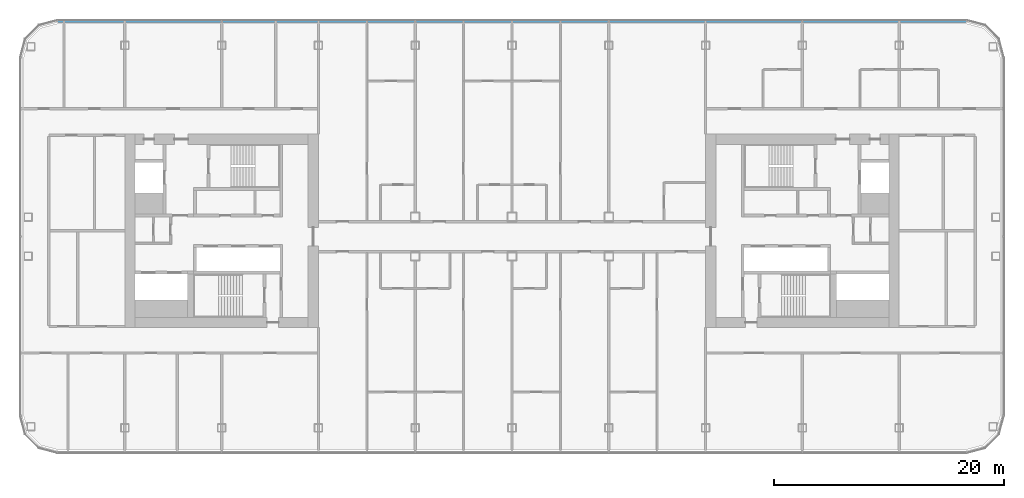
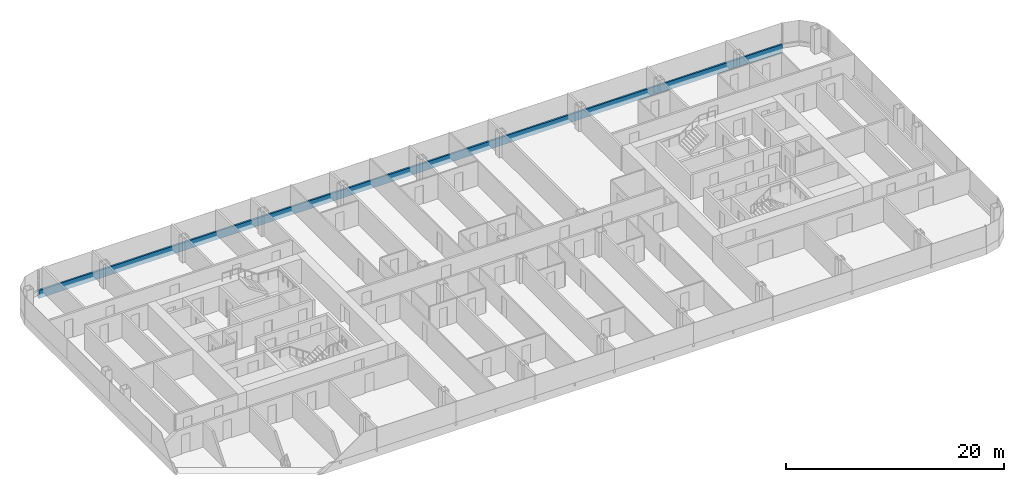
# One storey, part 7 of 26: 1 member, 1 element without a shape of its own.
"""IFC4 building model written with IfcOpenShell, lengths in metres."""

from ifc_helpers import new_model, si_unit, direction, frame, origin, origin_2d, place, context, subcontext, project, spatial, rectangle, extrude, material, layer, layer_set, material_profile, profile_set, type_object, element, aggregate, save


model = new_model("IFC4")

# Units and contexts
model_context = context("Model", 3, precision=1e-05, world=origin(), true_north=direction((0.0, 1.0)))
body_context = subcontext(model_context, "Body", "Model", "MODEL_VIEW")
ifc_project = project(units=[si_unit("LENGTHUNIT", "METRE"), si_unit("AREAUNIT", "SQUARE_METRE"), si_unit("VOLUMEUNIT", "CUBIC_METRE"), si_unit("PLANEANGLEUNIT", "RADIAN"), si_unit("MASSUNIT", "GRAM", prefix="KILO")], contexts=[model_context])

# Site, building, storey
site_placement = place(None, origin())
site = spatial("IfcSite", under=ifc_project, at=site_placement, CompositionType="ELEMENT")
building_placement = place(site_placement, origin())
building = spatial("IfcBuilding", under=site, at=building_placement, Name="Hakoniwa Tower and Hamabe Station Hall", CompositionType="ELEMENT")
storey_placement = place(building_placement, frame((0.0, 0.0, 159.800048828125)))
storey = spatial("IfcBuildingStorey", under=building, at=storey_placement, Name="L45", CompositionType="ELEMENT", Elevation=159.800048828125)

# Curtain wall, member
ifc_material_1 = material(Name="Dark low-e laminated glass", Category="glass")
ifc_layer = layer(ifc_material_1, 0.199951171875)
ifc_layer_set = layer_set([ifc_layer], Name="CW-1 UNITISED GUEST")
curtain_wall_type = type_object("IfcCurtainWallType", Name="CW-1 UNITISED GUEST", PredefinedType="NOTDEFINED", material=ifc_layer_set)
curtain_wall_placement = place(storey_placement, origin())
curtain_wall = element("IfcCurtainWall", 1, at=curtain_wall_placement, inside=storey, type_object=curtain_wall_type, Name="CW-1 curtain wall", PredefinedType="NOTDEFINED")
ifc_material_2 = material(Name="Aluminium 6063-T5 black anodised", Category="aluminium")
ifc_material_profile = material_profile(ifc_material_2, rectangle(XDim=0.199951171875, YDim=0.89990234375, at=origin_2d()), Name="CW SLAB-EDGE BAND 900X200")
ifc_profile_set = profile_set([ifc_material_profile], Name="Aluminium 6063-T5 black anodised")
member_type = type_object("IfcMemberType", Name="CW SLAB-EDGE BAND 900X200", PredefinedType="USERDEFINED", material=ifc_profile_set)
member_placement = place(storey_placement, frame((39.439453125, 18.199951171875, -0.10009765625), z_axis=(-1.0, 0.0, 0.0), x_axis=(0.0, -1.0, 0.0)))
member = element("IfcMember", 2, at=member_placement, type_object=member_type, Name="CW-1 transom", ObjectType="TRANSOM", PredefinedType="USERDEFINED", context=body_context, shape_type="SweptSolid", body=[
    extrude(rectangle(XDim=0.199951171875, YDim=0.89990234375, at=origin_2d()), origin(), (0.0, 0.0, 1.0), 78.87890625),
])
aggregate(curtain_wall, [member])

save(model, "model.ifc")
